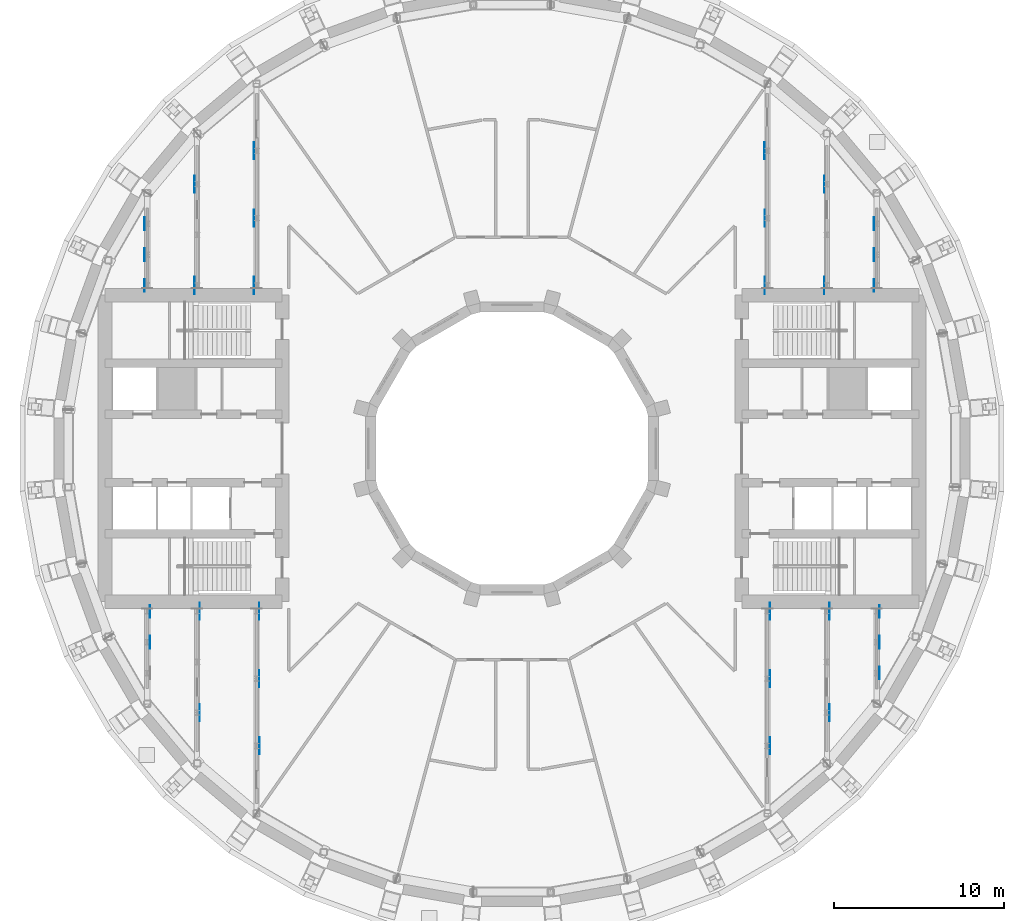
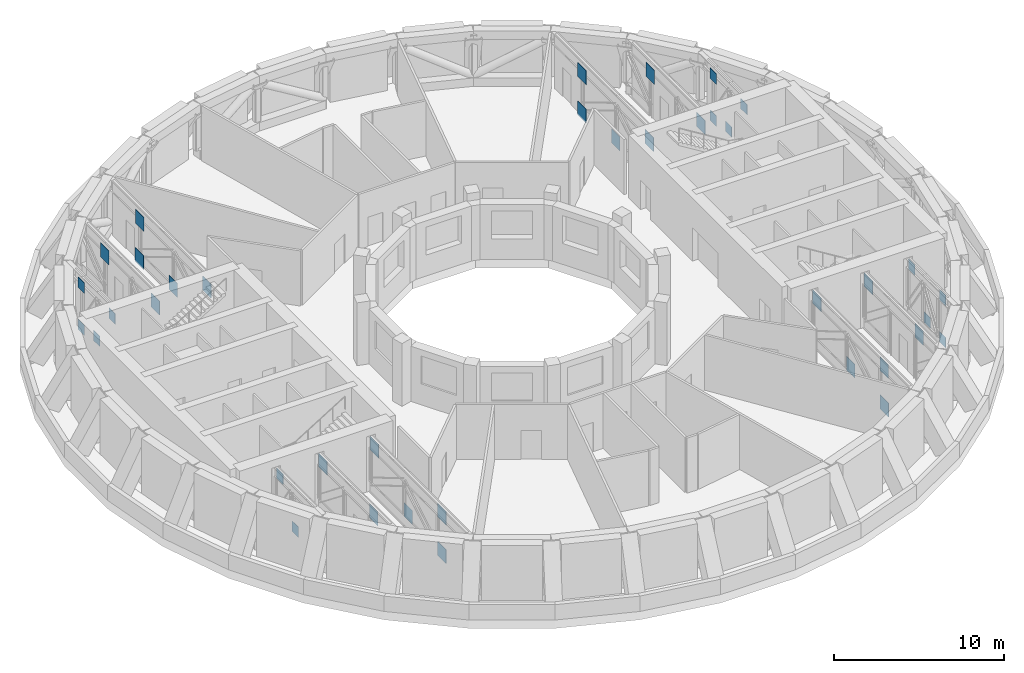
# One storey, part 14 of 19: 38 discrete accessories.
"""IFC4 building model written with IfcOpenShell, lengths in metres."""

from ifc_helpers import new_model, si_unit, direction, frame, origin, origin_2d, place, context, subcontext, project, spatial, rectangle, extrude, material, material_profile, profile_set, type_object, element, save


model = new_model("IFC4")

# Units and contexts
model_context = context("Model", 3, precision=1e-05, world=origin(), true_north=direction((0.0, 1.0)))
body_context = subcontext(model_context, "Body", "Model", "MODEL_VIEW")
ifc_project = project(units=[si_unit("LENGTHUNIT", "METRE"), si_unit("AREAUNIT", "SQUARE_METRE"), si_unit("VOLUMEUNIT", "CUBIC_METRE"), si_unit("PLANEANGLEUNIT", "RADIAN"), si_unit("MASSUNIT", "GRAM", prefix="KILO")], contexts=[model_context])

# Site, building, storey
site_placement = place(None, origin())
site = spatial("IfcSite", under=ifc_project, at=site_placement, CompositionType="ELEMENT")
building_placement = place(site_placement, origin())
building = spatial("IfcBuilding", under=site, at=building_placement, Name="Saqina Gate Tower", CompositionType="ELEMENT")
storey_placement = place(building_placement, frame((0.0, 0.0, 82.39990234375)))
storey = spatial("IfcBuildingStorey", under=building, at=storey_placement, Name="L23", CompositionType="ELEMENT", Elevation=82.39990234375)

# Discrete accessories
ifc_material_1 = material(Name="Steel S460", Category="steel")
ifc_material_profile_1 = material_profile(ifc_material_1, rectangle(XDim=1.0, YDim=1.0, at=origin_2d()), Name="STR-END PLATE-GUSSET 1000x1000x20")
ifc_profile_set_1 = profile_set([ifc_material_profile_1], Name="Steel S460")
discrete_accessory_type_1 = type_object("IfcDiscreteAccessoryType", Name="STR-END PLATE-GUSSET 1000x1000x20", PredefinedType="USERDEFINED", material=ifc_profile_set_1)
for number, where, z_axis, x_axis, name in (
    (1, (18.3408203125, 9.568115234375, 3.150146484375), (-1.0, 0.0, 0.0), (0.0, -1.0, 0.0), "GUSSET PLATE OUTRIGGER TRUSS L23 LONG POST 167"),
    (2, (18.3408203125, 15.5166015625, 3.150146484375), (-1.0, 0.0, 0.0), (0.0, -1.0, 0.0), "GUSSET PLATE OUTRIGGER TRUSS L23 LONG POST 169"),
    (3, (18.640869140625, -9.568115234375, 3.150146484375), (1.0, 0.0, 0.0), (0.0, 1.0, 0.0), "GUSSET PLATE OUTRIGGER TRUSS L23 LONG POST 177"),
    (4, (18.640869140625, -15.5166015625, 3.150146484375), (1.0, 0.0, 0.0), (0.0, 1.0, 0.0), "GUSSET PLATE OUTRIGGER TRUSS L23 LONG POST 179"),
    (5, (-18.640869140625, 9.568115234375, 3.150146484375), (-1.0, 0.0, 0.0), (0.0, -1.0, 0.0), "GUSSET PLATE OUTRIGGER TRUSS L23 LONG POST 187"),
    (6, (-18.640869140625, 15.5166015625, 3.150146484375), (-1.0, 0.0, 0.0), (0.0, -1.0, 0.0), "GUSSET PLATE OUTRIGGER TRUSS L23 LONG POST 189"),
    (7, (-18.3408203125, -9.568115234375, 3.150146484375), (1.0, 0.0, 0.0), (0.0, 1.0, 0.0), "GUSSET PLATE OUTRIGGER TRUSS L23 LONG POST 197"),
    (8, (-18.3408203125, -15.5166015625, 3.150146484375), (1.0, 0.0, 0.0), (0.0, 1.0, 0.0), "GUSSET PLATE OUTRIGGER TRUSS L23 LONG POST 199"),
    (9, (14.845947265625, 17.469970703125, 0.400146484375), (-1.0, 0.0, 0.0), (0.0, -1.0, 0.0), "GUSSET PLATE OUTRIGGER TRUSS L23 LONG CHORD 203"),
    (10, (14.84912109375, 9.568115234375, 3.150146484375), (-1.0, 0.0, 0.0), (0.0, -1.0, 0.0), "GUSSET PLATE OUTRIGGER TRUSS L23 LONG POST 207"),
    (11, (14.84912109375, 13.51904296875, 0.800048828125), (-1.0, 0.0, 0.0), (0.0, -1.0, 0.0), "GUSSET PLATE OUTRIGGER TRUSS L23 LONG POST 208"),
    (12, (14.84912109375, 17.469970703125, 3.150146484375), (-1.0, 0.0, 0.0), (0.0, -1.0, 0.0), "GUSSET PLATE OUTRIGGER TRUSS L23 LONG POST 209"),
    (13, (15.152099609375, -17.469970703125, 0.400146484375), (1.0, 0.0, 0.0), (0.0, 1.0, 0.0), "GUSSET PLATE OUTRIGGER TRUSS L23 LONG CHORD 213"),
    (14, (15.14892578125, -9.568115234375, 3.150146484375), (1.0, 0.0, 0.0), (0.0, 1.0, 0.0), "GUSSET PLATE OUTRIGGER TRUSS L23 LONG POST 217"),
    (15, (15.14892578125, -13.51904296875, 0.800048828125), (1.0, 0.0, 0.0), (0.0, 1.0, 0.0), "GUSSET PLATE OUTRIGGER TRUSS L23 LONG POST 218"),
    (16, (15.14892578125, -17.469970703125, 3.150146484375), (1.0, 0.0, 0.0), (0.0, 1.0, 0.0), "GUSSET PLATE OUTRIGGER TRUSS L23 LONG POST 219"),
    (17, (-15.152099609375, 17.469970703125, 0.400146484375), (-1.0, 0.0, 0.0), (0.0, -1.0, 0.0), "GUSSET PLATE OUTRIGGER TRUSS L23 LONG CHORD 223"),
    (18, (-15.14892578125, 9.568115234375, 3.150146484375), (-1.0, 0.0, 0.0), (0.0, -1.0, 0.0), "GUSSET PLATE OUTRIGGER TRUSS L23 LONG POST 227"),
    (19, (-15.14892578125, 13.51904296875, 0.800048828125), (-1.0, 0.0, 0.0), (0.0, -1.0, 0.0), "GUSSET PLATE OUTRIGGER TRUSS L23 LONG POST 228"),
    (20, (-15.14892578125, 17.469970703125, 3.150146484375), (-1.0, 0.0, 0.0), (0.0, -1.0, 0.0), "GUSSET PLATE OUTRIGGER TRUSS L23 LONG POST 229"),
    (21, (-14.845947265625, -17.469970703125, 0.400146484375), (1.0, 0.0, 0.0), (0.0, 1.0, 0.0), "GUSSET PLATE OUTRIGGER TRUSS L23 LONG CHORD 233"),
    (22, (-14.84912109375, -9.568115234375, 3.150146484375), (1.0, 0.0, 0.0), (0.0, 1.0, 0.0), "GUSSET PLATE OUTRIGGER TRUSS L23 LONG POST 237"),
    (23, (-14.84912109375, -13.51904296875, 0.800048828125), (1.0, 0.0, 0.0), (0.0, 1.0, 0.0), "GUSSET PLATE OUTRIGGER TRUSS L23 LONG POST 238"),
    (24, (-14.84912109375, -17.469970703125, 3.150146484375), (1.0, 0.0, 0.0), (0.0, 1.0, 0.0), "GUSSET PLATE OUTRIGGER TRUSS L23 LONG POST 239"),
):
    element("IfcDiscreteAccessory", number, at=place(storey_placement, frame(where, z_axis=z_axis, x_axis=x_axis)), inside=storey, type_object=discrete_accessory_type_1, Name=name, ObjectType="GUSSET PLATE", PredefinedType="USERDEFINED", context=body_context, shape_type="SweptSolid", body=[
        extrude(rectangle(XDim=1.0, YDim=1.0, at=origin_2d()), origin(), (0.0, 0.0, 1.0), 0.02001953125),
    ])
ifc_material_2 = material(Name="Steel S460", Category="steel")
ifc_material_profile_2 = material_profile(ifc_material_2, rectangle(XDim=0.75, YDim=0.75, at=origin_2d()), Name="STR-END PLATE-GUSSET 750x750x20")
ifc_profile_set_2 = profile_set([ifc_material_profile_2], Name="Steel S460")
discrete_accessory_type_2 = type_object("IfcDiscreteAccessoryType", Name="STR-END PLATE-GUSSET 750x750x20", PredefinedType="USERDEFINED", material=ifc_profile_set_2)
for number, where, z_axis, x_axis, name in (
    (25, (21.267333984375, 13.188720703125, 0.31005859375), (-1.0, 0.0, 0.0), (0.0, -1.0, 0.0), "GUSSET PLATE OUTRIGGER TRUSS L23 CHORD 123"),
    (26, (21.268310546875, 9.568115234375, 3.330078125), (-1.0, 0.0, 0.0), (0.0, -1.0, 0.0), "GUSSET PLATE OUTRIGGER TRUSS L23 POST 127"),
    (27, (21.268310546875, 11.37841796875, 0.6201171875), (-1.0, 0.0, 0.0), (0.0, -1.0, 0.0), "GUSSET PLATE OUTRIGGER TRUSS L23 POST 128"),
    (28, (21.268310546875, 13.188720703125, 3.330078125), (-1.0, 0.0, 0.0), (0.0, -1.0, 0.0), "GUSSET PLATE OUTRIGGER TRUSS L23 POST 129"),
    (29, (21.57421875, -13.188720703125, 0.31005859375), (1.0, 0.0, 0.0), (0.0, 1.0, 0.0), "GUSSET PLATE OUTRIGGER TRUSS L23 CHORD 133"),
    (30, (21.5732421875, -9.568115234375, 3.330078125), (1.0, 0.0, 0.0), (0.0, 1.0, 0.0), "GUSSET PLATE OUTRIGGER TRUSS L23 POST 137"),
    (31, (21.5732421875, -11.37841796875, 0.6201171875), (1.0, 0.0, 0.0), (0.0, 1.0, 0.0), "GUSSET PLATE OUTRIGGER TRUSS L23 POST 138"),
    (32, (21.5732421875, -13.188720703125, 3.330078125), (1.0, 0.0, 0.0), (0.0, 1.0, 0.0), "GUSSET PLATE OUTRIGGER TRUSS L23 POST 139"),
    (33, (-21.57421875, 13.188720703125, 0.31005859375), (-1.0, 0.0, 0.0), (0.0, -1.0, 0.0), "GUSSET PLATE OUTRIGGER TRUSS L23 CHORD 143"),
    (34, (-21.5732421875, 9.568115234375, 3.330078125), (-1.0, 0.0, 0.0), (0.0, -1.0, 0.0), "GUSSET PLATE OUTRIGGER TRUSS L23 POST 147"),
    (35, (-21.5732421875, 11.37841796875, 0.6201171875), (-1.0, 0.0, 0.0), (0.0, -1.0, 0.0), "GUSSET PLATE OUTRIGGER TRUSS L23 POST 148"),
    (36, (-21.5732421875, 13.188720703125, 3.330078125), (-1.0, 0.0, 0.0), (0.0, -1.0, 0.0), "GUSSET PLATE OUTRIGGER TRUSS L23 POST 149"),
    (37, (-21.268310546875, -9.568115234375, 3.330078125), (1.0, 0.0, 0.0), (0.0, 1.0, 0.0), "GUSSET PLATE OUTRIGGER TRUSS L23 POST 157"),
    (38, (-21.268310546875, -11.37841796875, 0.6201171875), (1.0, 0.0, 0.0), (0.0, 1.0, 0.0), "GUSSET PLATE OUTRIGGER TRUSS L23 POST 158"),
):
    element("IfcDiscreteAccessory", number, at=place(storey_placement, frame(where, z_axis=z_axis, x_axis=x_axis)), inside=storey, type_object=discrete_accessory_type_2, Name=name, ObjectType="GUSSET PLATE", PredefinedType="USERDEFINED", context=body_context, shape_type="SweptSolid", body=[
        extrude(rectangle(XDim=0.75, YDim=0.75, at=origin_2d()), origin(), (0.0, 0.0, 1.0), 0.02001953125),
    ])

save(model, "model.ifc")
